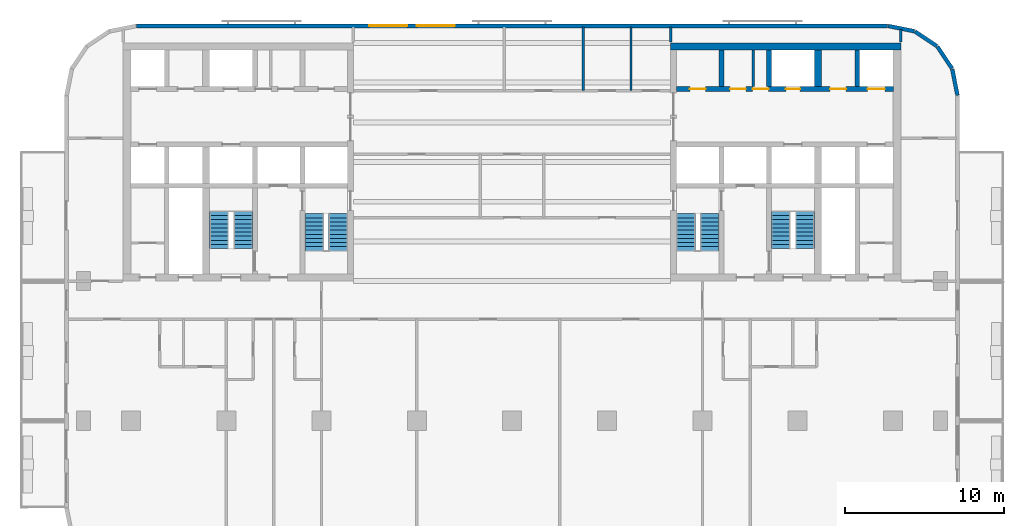
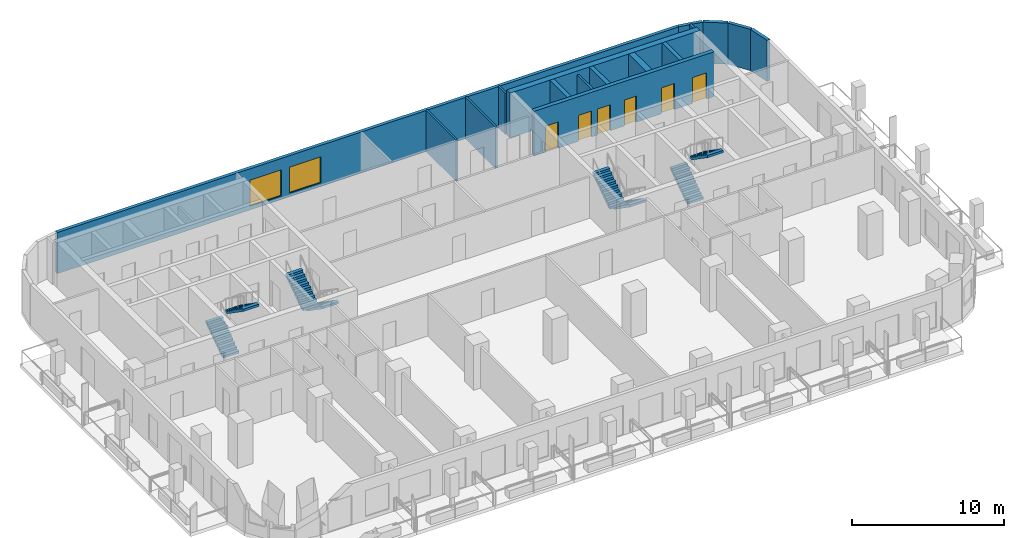
# One storey, part 7 of 11: 16 walls, 8 stair flights, 6 doors, 2 windows, 8 openings, 4 elements without a shape of their own.
"""IFC4 building model written with IfcOpenShell, lengths in metres."""

from ifc_helpers import new_model, si_unit, direction, frame, frame_2d, origin, place, context, subcontext, project, spatial, polyline, rectangle, outline, extrude, material, layer, layer_set, type_object, element, fill, aggregate, save


model = new_model("IFC4")

# Units and contexts
model_context = context("Model", 3, precision=1e-05, world=origin(), true_north=direction((0.0, 1.0)))
body_context = subcontext(model_context, "Body", "Model", "MODEL_VIEW")
ifc_project = project(units=[si_unit("LENGTHUNIT", "METRE"), si_unit("AREAUNIT", "SQUARE_METRE"), si_unit("VOLUMEUNIT", "CUBIC_METRE"), si_unit("PLANEANGLEUNIT", "RADIAN"), si_unit("MASSUNIT", "GRAM", prefix="KILO")], contexts=[model_context])

# Site, building, storey
site_placement = place(None, origin())
site = spatial("IfcSite", under=ifc_project, at=site_placement, CompositionType="ELEMENT")
building_placement = place(site_placement, origin())
building = spatial("IfcBuilding", under=site, at=building_placement, Name="Torana Hotel and Residences", CompositionType="ELEMENT")
storey_placement = place(building_placement, frame((0.0, 0.0, 138.0)))
storey = spatial("IfcBuildingStorey", under=building, at=storey_placement, Name="L35", CompositionType="ELEMENT", Elevation=138.0)

# Wall, openings, doors
ifc_material_1 = material(Name="Concrete C70/85", Category="concrete")
ifc_layer_1 = layer(ifc_material_1, 0.300048828125)
ifc_layer_set_1 = layer_set([ifc_layer_1], Name="CORE WALL 300 C70/85")
wall_type_1 = type_object("IfcWallType", Name="CORE WALL 300 C70/85", PredefinedType="SHEAR", material=ifc_layer_set_1)
wall_1_placement = place(storey_placement, frame((10.35009765625, -2.89990234375, 0.0), z_axis=(0.0, 0.0, 1.0), x_axis=(1.0, 0.0, 0.0)))
wall_1 = element("IfcWall", 1, at=wall_1_placement, inside=storey, type_object=wall_type_1, Name="Core wall E row-N", PredefinedType="SHEAR", context=body_context, shape_type="SweptSolid", body=[
    extrude(rectangle(XDim=13.699951171875, YDim=0.300048828125, at=frame_2d((6.85009765625, 0.0))), origin(), (0.0, 0.0, 1.0), 3.60009765625),
])
opening_1_placement = place(wall_1_placement, frame((12.050048828125, 0.0, 0.0)))
opening_1 = element("IfcOpeningElement", 2, at=opening_1_placement, cuts=wall_1, Name="Opening LD", PredefinedType="OPENING", context=body_context, shape_type="SweptSolid", body=[
    extrude(rectangle(XDim=1.10009765625, YDim=2.10009765625, at=frame_2d((0.550048828125, 1.050048828125))), frame((0.0, 0.159912109375, 0.0), z_axis=(0.0, -1.0, 0.0), x_axis=(1.0, 0.0, 0.0)), (0.0, 0.0, 1.0), 0.320068359375),
])
opening_2_placement = place(wall_1_placement, frame((6.89990234375, 0.0, 0.0)))
opening_2 = element("IfcOpeningElement", 3, at=opening_2_placement, cuts=wall_1, Name="Opening L35-22", PredefinedType="OPENING", context=body_context, shape_type="SweptSolid", body=[
    extrude(rectangle(XDim=0.89990234375, YDim=2.10009765625, at=frame_2d((0.449951171875, 1.050048828125))), frame((0.0, 0.159912109375, 0.0), z_axis=(0.0, -1.0, 0.0), x_axis=(1.0, 0.0, 0.0)), (0.0, 0.0, 1.0), 0.320068359375),
])
opening_3_placement = place(wall_1_placement, frame((0.85009765625, 0.0, 0.0)))
opening_3 = element("IfcOpeningElement", 4, at=opening_3_placement, cuts=wall_1, Name="Opening L35-23", PredefinedType="OPENING", context=body_context, shape_type="SweptSolid", body=[
    extrude(rectangle(XDim=1.0, YDim=2.10009765625, at=frame_2d((0.5, 1.050048828125))), frame((0.0, 0.159912109375, 0.0), z_axis=(0.0, -1.0, 0.0), x_axis=(1.0, 0.0, 0.0)), (0.0, 0.0, 1.0), 0.320068359375),
])
opening_4_placement = place(wall_1_placement, frame((3.387451171875, 0.0, 0.0)))
opening_4 = element("IfcOpeningElement", 5, at=opening_4_placement, cuts=wall_1, Name="Opening L35-24", PredefinedType="OPENING", context=body_context, shape_type="SweptSolid", body=[
    extrude(rectangle(XDim=1.0, YDim=2.10009765625, at=frame_2d((0.5, 1.050048828125))), frame((0.0, 0.159912109375, 0.0), z_axis=(0.0, -1.0, 0.0), x_axis=(1.0, 0.0, 0.0)), (0.0, 0.0, 1.0), 0.320068359375),
])
opening_5_placement = place(wall_1_placement, frame((4.8125, 0.0, 0.0)))
opening_5 = element("IfcOpeningElement", 6, at=opening_5_placement, cuts=wall_1, Name="Opening L35-25", PredefinedType="OPENING", context=body_context, shape_type="SweptSolid", body=[
    extrude(rectangle(XDim=1.0, YDim=2.10009765625, at=frame_2d((0.5, 1.050048828125))), frame((0.0, 0.159912109375, 0.0), z_axis=(0.0, -1.0, 0.0), x_axis=(1.0, 0.0, 0.0)), (0.0, 0.0, 1.0), 0.320068359375),
])
opening_6_placement = place(wall_1_placement, frame((9.699951171875, 0.0, 0.0)))
opening_6 = element("IfcOpeningElement", 7, at=opening_6_placement, cuts=wall_1, Name="Opening L35-26", PredefinedType="OPENING", context=body_context, shape_type="SweptSolid", body=[
    extrude(rectangle(XDim=1.0, YDim=2.10009765625, at=frame_2d((0.5, 1.050048828125))), frame((0.0, 0.159912109375, 0.0), z_axis=(0.0, -1.0, 0.0), x_axis=(1.0, 0.0, 0.0)), (0.0, 0.0, 1.0), 0.320068359375),
])
ifc_material_2 = material(Name="Steel S235", Category="steel")
door_type_1 = type_object("IfcDoorType", Name="CORE ROOM FIRE DOOR D14 1000x2100", OperationType="SINGLE_SWING_LEFT", PredefinedType="DOOR", material=ifc_material_2)
door_1_placement = place(opening_3_placement, origin())
door_1 = element("IfcDoor", 8, at=door_1_placement, inside=storey, type_object=door_type_1, Name="N0 door L35", OperationType="SINGLE_SWING_RIGHT", OverallHeight=2.10009765625, OverallWidth=1.0, PredefinedType="DOOR", context=body_context, shape_type="SweptSolid", body=[
    extrude(rectangle(XDim=1.0, YDim=2.10009765625, at=frame_2d((0.5, 1.050048828125))), frame((0.0, 0.02490234375, 0.0), z_axis=(0.0, -1.0, 0.0), x_axis=(1.0, 0.0, 0.0)), (0.0, 0.0, 1.0), 0.050048828125),
])
fill(opening_3, door_1)
door_2_placement = place(opening_4_placement, origin())
door_2 = element("IfcDoor", 9, at=door_2_placement, inside=storey, type_object=door_type_1, Name="N1A door L35", OperationType="SINGLE_SWING_RIGHT", OverallHeight=2.10009765625, OverallWidth=1.0, PredefinedType="DOOR", context=body_context, shape_type="SweptSolid", body=[
    extrude(rectangle(XDim=1.0, YDim=2.10009765625, at=frame_2d((0.5, 1.050048828125))), frame((0.0, 0.02490234375, 0.0), z_axis=(0.0, -1.0, 0.0), x_axis=(1.0, 0.0, 0.0)), (0.0, 0.0, 1.0), 0.050048828125),
])
fill(opening_4, door_2)
door_3_placement = place(opening_5_placement, origin())
door_3 = element("IfcDoor", 10, at=door_3_placement, inside=storey, type_object=door_type_1, Name="N1B door L35", OperationType="SINGLE_SWING_LEFT", OverallHeight=2.10009765625, OverallWidth=1.0, PredefinedType="DOOR", context=body_context, shape_type="SweptSolid", body=[
    extrude(rectangle(XDim=1.0, YDim=2.10009765625, at=frame_2d((0.5, 1.050048828125))), frame((0.0, 0.02490234375, 0.0), z_axis=(0.0, -1.0, 0.0), x_axis=(1.0, 0.0, 0.0)), (0.0, 0.0, 1.0), 0.050048828125),
])
fill(opening_5, door_3)
door_4_placement = place(opening_6_placement, origin())
door_4 = element("IfcDoor", 11, at=door_4_placement, inside=storey, type_object=door_type_1, Name="Freed-S2 door L35", OperationType="SINGLE_SWING_RIGHT", OverallHeight=2.10009765625, OverallWidth=1.0, PredefinedType="DOOR", context=body_context, shape_type="SweptSolid", body=[
    extrude(rectangle(XDim=1.0, YDim=2.10009765625, at=frame_2d((0.5, 1.050048828125))), frame((0.0, 0.02490234375, 0.0), z_axis=(0.0, -1.0, 0.0), x_axis=(1.0, 0.0, 0.0)), (0.0, 0.0, 1.0), 0.050048828125),
])
fill(opening_6, door_4)
ifc_material_3 = material(Name="Stainless steel 316", Category="steel")
door_type_2 = type_object("IfcDoorType", Name="LIFT LANDING DOOR LD 1100x2100", OperationType="DOUBLE_DOOR_SLIDING", PredefinedType="USERDEFINED", material=ifc_material_3)
door_5_placement = place(opening_1_placement, origin())
door_5 = element("IfcDoor", 12, at=door_5_placement, inside=storey, type_object=door_type_2, Name="Lift landing door M3 L35", ObjectType="LIFT LANDING DOOR", OperationType="DOUBLE_DOOR_SLIDING", OverallHeight=2.10009765625, OverallWidth=1.10009765625, PredefinedType="USERDEFINED", context=body_context, shape_type="SweptSolid", body=[
    extrude(rectangle(XDim=1.10009765625, YDim=2.10009765625, at=frame_2d((0.550048828125, 1.050048828125))), frame((0.0, 0.02490234375, 0.0), z_axis=(0.0, -1.0, 0.0), x_axis=(1.0, 0.0, 0.0)), (0.0, 0.0, 1.0), 0.050048828125),
])
fill(opening_1, door_5)
ifc_material_4 = material(Name="Steel S235", Category="steel")
door_type_3 = type_object("IfcDoorType", Name="RISER ACCESS DOOR D5 900x2100", OperationType="SINGLE_SWING_LEFT", PredefinedType="DOOR", material=ifc_material_4)
door_6_placement = place(opening_2_placement, origin())
door_6 = element("IfcDoor", 13, at=door_6_placement, inside=storey, type_object=door_type_3, Name="N2 door L35", OperationType="SINGLE_SWING_RIGHT", OverallHeight=2.10009765625, OverallWidth=0.89990234375, PredefinedType="DOOR", context=body_context, shape_type="SweptSolid", body=[
    extrude(rectangle(XDim=0.89990234375, YDim=2.10009765625, at=frame_2d((0.449951171875, 1.050048828125))), frame((0.0, 0.02490234375, 0.0), z_axis=(0.0, -1.0, 0.0), x_axis=(1.0, 0.0, 0.0)), (0.0, 0.0, 1.0), 0.050048828125),
])
fill(opening_2, door_6)

# Walls
for number, where, z_axis, x_axis, name in (
    (14, (13.199951171875, -2.75, 0.0), (0.0, 0.0, 1.0), (0.0, 1.0, 0.0), "Core wall E x3.05-N"),
    (15, (16.199951171875, -2.75, 0.0), (0.0, 0.0, 1.0), (0.0, 1.0, 0.0), "Core wall E x6.05-N"),
    (16, (21.75, -2.75, 0.0), (0.0, 0.0, 1.0), (0.0, 1.0, 0.0), "Core wall E mm-N"),
):
    element("IfcWall", number, at=place(storey_placement, frame(where, z_axis=z_axis, x_axis=x_axis)), inside=storey, type_object=wall_type_1, Name=name, PredefinedType="SHEAR", context=body_context, shape_type="SweptSolid", body=[
        extrude(rectangle(XDim=2.300048828125, YDim=0.300048828125, at=frame_2d((1.14990234375, 0.0))), origin(), (0.0, 0.0, 1.0), 3.60009765625),
    ])
ifc_material_5 = material(Name="Concrete C70/85", Category="concrete")
ifc_layer_2 = layer(ifc_material_5, 0.449951171875)
ifc_layer_set_2 = layer_set([ifc_layer_2], Name="CORE WALL 450 C70/85")
wall_type_2 = type_object("IfcWallType", Name="CORE WALL 450 C70/85", PredefinedType="SHEAR", material=ifc_layer_set_2)
wall_2_placement = place(storey_placement, frame((10.0, -0.22509765625, 0.0), z_axis=(0.0, 0.0, 1.0), x_axis=(1.0, 0.0, 0.0)))
element("IfcWall", 17, at=wall_2_placement, inside=storey, type_object=wall_type_2, Name="Core wall E rear", PredefinedType="SHEAR", context=body_context, shape_type="SweptSolid", body=[
    extrude(rectangle(XDim=14.5, YDim=0.449951171875, at=frame_2d((7.25, 0.0))), origin(), (0.0, 0.0, 1.0), 3.60009765625),
])
wall_3_placement = place(storey_placement, frame((19.27490234375, -2.75, 0.0), z_axis=(0.0, 0.0, 1.0), x_axis=(0.0, 1.0, 0.0)))
element("IfcWall", 18, at=wall_3_placement, inside=storey, type_object=wall_type_2, Name="Core wall E hm-N", PredefinedType="SHEAR", context=body_context, shape_type="SweptSolid", body=[
    extrude(rectangle(XDim=2.300048828125, YDim=0.449951171875, at=frame_2d((1.14990234375, 0.0))), origin(), (0.0, 0.0, 1.0), 3.60009765625),
])
ifc_material_6 = material(Name="Black aluminium composite panel", Category="aluminium")
ifc_layer_3 = layer(ifc_material_6, 0.00390625, Name="Cladding", Category="cladding")
ifc_material_7 = material(Name="Ventilated air cavity")
ifc_layer_4 = layer(ifc_material_7, 0.0400390625, Name="Ventilated cavity", Category="cavity")
ifc_material_8 = material(Name="Mineral wool insulation")
ifc_layer_5 = layer(ifc_material_8, 0.090087890625, Name="Insulation", Category="insulation")
ifc_material_9 = material(Name="Steel S280GD", Category="steel")
ifc_layer_6 = layer(ifc_material_9, 0.092041015625, Name="Steel stud frame", Category="structure")
ifc_material_10 = material(Name="Fire rated plasterboard")
ifc_layer_7 = layer(ifc_material_10, 0.011962890625, Name="Inner board", Category="finish")
ifc_layer_8 = layer(ifc_material_10, 0.011962890625, Name="Second board", Category="finish")
ifc_layer_set_3 = layer_set([ifc_layer_3, ifc_layer_4, ifc_layer_5, ifc_layer_6, ifc_layer_7, ifc_layer_8], Name="EW1 EXTERNAL WALL BLACK METAL CLAD 250")
wall_type_3 = type_object("IfcWallType", Name="EW1 EXTERNAL WALL BLACK METAL CLAD 250", PredefinedType="SOLIDWALL", material=ifc_layer_set_3)
wall_4_placement = place(storey_placement, frame((28.072509765625, -3.30029296875, 0.0), z_axis=(0.0, 0.0, 1.0), x_axis=(-0.194999110559, 0.980803419081, 0.0)))
element("IfcWall", 19, at=wall_4_placement, inside=storey, type_object=wall_type_3, Name="External wall L35 e0.0", PredefinedType="SOLIDWALL", context=body_context, shape_type="SweptSolid", body=[
    extrude(rectangle(XDim=1.681396484375, YDim=0.25, at=frame_2d((0.8408203125, 0.0))), origin(), (0.0, 0.0, 1.0), 3.320068359375),
])
for number, where, z_axis, x_axis, name in (
    (20, (27.725830078125, -1.60595703125, 0.0), (0.0, 0.0, 1.0), (-0.55555029066, 0.831482937015, 0.0), "External wall L35 e0.1"),
    (21, (26.771240234375, -0.1943359375, 0.0), (0.0, 0.0, 1.0), (-0.831482937015, 0.55555029066, 0.0), "External wall L35 e0.2"),
):
    element("IfcWall", number, at=place(storey_placement, frame(where, z_axis=z_axis, x_axis=x_axis)), inside=storey, type_object=wall_type_3, Name=name, PredefinedType="SOLIDWALL", context=body_context, shape_type="SweptSolid", body=[
        extrude(rectangle(XDim=1.65625, YDim=0.25, at=frame_2d((0.828125, 0.0))), origin(), (0.0, 0.0, 1.0), 3.320068359375),
    ])
wall_5_placement = place(storey_placement, frame((25.348876953125, 0.74462890625, 0.0), z_axis=(0.0, 0.0, 1.0), x_axis=(-0.980803419081, 0.194999110559, 0.0)))
element("IfcWall", 22, at=wall_5_placement, inside=storey, type_object=wall_type_3, Name="External wall L35 e0.3", PredefinedType="SOLIDWALL", context=body_context, shape_type="SweptSolid", body=[
    extrude(rectangle(XDim=1.681396484375, YDim=0.25, at=frame_2d((0.8408203125, 0.0))), origin(), (0.0, 0.0, 1.0), 3.320068359375),
])

# Wall, openings, windows
ifc_material_11 = material(Name="Concrete C40/50 precast", Category="concrete")
ifc_layer_9 = layer(ifc_material_11, 0.10009765625, Name="Perforated block", Category="cladding")
ifc_material_12 = material(Name="Air cavity")
ifc_layer_10 = layer(ifc_material_12, 0.030029296875, Name="Cavity", Category="cavity")
ifc_material_13 = material(Name="Concrete C40/50", Category="concrete")
ifc_layer_11 = layer(ifc_material_13, 0.10009765625, Name="Wall", Category="structure")
ifc_material_14 = material(Name="Plaster and paint")
ifc_layer_12 = layer(ifc_material_14, 0.02001953125, Name="Inner finish", Category="finish")
ifc_layer_set_4 = layer_set([ifc_layer_9, ifc_layer_10, ifc_layer_11, ifc_layer_12], Name="EW2 PERFORATED BLOCK SCREEN WALL 250")
wall_type_4 = type_object("IfcWallType", Name="EW2 PERFORATED BLOCK SCREEN WALL 250", PredefinedType="SOLIDWALL", material=ifc_layer_set_4)
wall_6_placement = place(storey_placement, frame((23.67529296875, 1.074951171875, 0.0), z_axis=(0.0, 0.0, 1.0), x_axis=(-1.0, 0.0, 0.0)))
wall_6 = element("IfcWall", 23, at=wall_6_placement, inside=storey, type_object=wall_type_4, Name="External wall L35 e0.4", PredefinedType="SOLIDWALL", context=body_context, shape_type="SweptSolid", body=[
    extrude(rectangle(XDim=47.3505859375, YDim=0.25, at=frame_2d((23.67529296875, 0.0))), origin(), (0.0, 0.0, 1.0), 3.320068359375),
])
opening_7_placement = place(wall_6_placement, frame((27.275390625, 0.0, 0.300048828125)))
opening_7 = element("IfcOpeningElement", 24, at=opening_7_placement, cuts=wall_6, Name="Opening W1", PredefinedType="OPENING", context=body_context, shape_type="SweptSolid", body=[
    extrude(rectangle(XDim=2.39990234375, YDim=2.10009765625, at=frame_2d((1.199951171875, 1.050048828125))), frame((0.0, 0.135009765625, 0.0), z_axis=(0.0, -1.0, 0.0), x_axis=(1.0, 0.0, 0.0)), (0.0, 0.0, 1.0), 0.27001953125),
])
opening_8_placement = place(wall_6_placement, frame((30.275390625, 0.0, 0.300048828125)))
opening_8 = element("IfcOpeningElement", 25, at=opening_8_placement, cuts=wall_6, Name="Opening W1", PredefinedType="OPENING", context=body_context, shape_type="SweptSolid", body=[
    extrude(rectangle(XDim=2.39990234375, YDim=2.10009765625, at=frame_2d((1.199951171875, 1.050048828125))), frame((0.0, 0.135009765625, 0.0), z_axis=(0.0, -1.0, 0.0), x_axis=(1.0, 0.0, 0.0)), (0.0, 0.0, 1.0), 0.27001953125),
])
ifc_material_15 = material(Name="Dark glass in black aluminium frame", Category="aluminium")
window_type = type_object("IfcWindowType", Name="W1 HOTEL ROOM WINDOW 2400x2100", PartitioningType="SINGLE_PANEL", PredefinedType="WINDOW", material=ifc_material_15)
window_1_placement = place(opening_7_placement, origin())
window_1 = element("IfcWindow", 26, at=window_1_placement, inside=storey, type_object=window_type, Name="Window L35", OverallHeight=2.10009765625, OverallWidth=2.39990234375, PartitioningType="SINGLE_PANEL", PredefinedType="WINDOW", context=body_context, shape_type="SweptSolid", body=[
    extrude(rectangle(XDim=2.39990234375, YDim=2.10009765625, at=frame_2d((1.199951171875, 1.050048828125))), frame((0.0, 0.030029296875, 0.0), z_axis=(0.0, -1.0, 0.0), x_axis=(1.0, 0.0, 0.0)), (0.0, 0.0, 1.0), 0.06005859375),
])
fill(opening_7, window_1)
window_2_placement = place(opening_8_placement, origin())
window_2 = element("IfcWindow", 27, at=window_2_placement, inside=storey, type_object=window_type, Name="Window L35", OverallHeight=2.10009765625, OverallWidth=2.39990234375, PartitioningType="SINGLE_PANEL", PredefinedType="WINDOW", context=body_context, shape_type="SweptSolid", body=[
    extrude(rectangle(XDim=2.39990234375, YDim=2.10009765625, at=frame_2d((1.199951171875, 1.050048828125))), frame((0.0, 0.030029296875, 0.0), z_axis=(0.0, -1.0, 0.0), x_axis=(1.0, 0.0, 0.0)), (0.0, 0.0, 1.0), 0.06005859375),
])
fill(opening_8, window_2)

# Walls
ifc_material_16 = material(Name="Gypsum plaster")
ifc_layer_13 = layer(ifc_material_16, 0.014892578125, Name="Plaster", Category="finish")
ifc_material_17 = material(Name="Concrete blockwork", Category="masonry")
ifc_layer_14 = layer(ifc_material_17, 0.1201171875, Name="Blockwork", Category="structure")
ifc_layer_15 = layer(ifc_material_16, 0.014892578125, Name="Plaster", Category="finish")
ifc_layer_set_5 = layer_set([ifc_layer_13, ifc_layer_14, ifc_layer_15], Name="FIRE PARTITION 150 BLOCKWORK")
wall_type_5 = type_object("IfcWallType", Name="FIRE PARTITION 150 BLOCKWORK", PredefinedType="PARTITIONING", material=ifc_layer_set_5)
wall_7_placement = place(storey_placement, frame((15.199951171875, -2.75, 0.0), z_axis=(0.0, 0.0, 1.0), x_axis=(0.0, 1.0, 0.0)))
element("IfcWall", 28, at=wall_7_placement, inside=storey, type_object=wall_type_5, Name="Core partition L35", PredefinedType="PARTITIONING", context=body_context, shape_type="SweptSolid", body=[
    extrude(rectangle(XDim=2.300048828125, YDim=0.14990234375, at=frame_2d((1.14990234375, 0.0))), origin(), (0.0, 0.0, 1.0), 3.300048828125),
])
ifc_material_18 = material(Name="Gypsum plasterboard")
ifc_layer_16 = layer(ifc_material_18, 0.012451171875, Name="Plasterboard", Category="finish")
ifc_layer_17 = layer(ifc_material_18, 0.012451171875, Name="Plasterboard", Category="finish")
ifc_layer_18 = layer(ifc_material_9, 0.10009765625, Name="Steel studs with mineral wool", Category="insulation")
ifc_layer_19 = layer(ifc_material_18, 0.012451171875, Name="Plasterboard", Category="finish")
ifc_layer_20 = layer(ifc_material_18, 0.012451171875, Name="Plasterboard", Category="finish")
ifc_layer_set_6 = layer_set([ifc_layer_16, ifc_layer_17, ifc_layer_18, ifc_layer_19, ifc_layer_20], Name="PARTITION 150 PLASTERBOARD")
wall_type_6 = type_object("IfcWallType", Name="PARTITION 150 PLASTERBOARD", PredefinedType="PARTITIONING", material=ifc_layer_set_6)
wall_8_placement = place(storey_placement, frame((24.5, 0.050048828125, 0.0), z_axis=(0.0, 0.0, 1.0), x_axis=(0.0, 1.0, 0.0)))
element("IfcWall", 29, at=wall_8_placement, inside=storey, type_object=wall_type_6, Name="Partition L35", PredefinedType="PARTITIONING", context=body_context, shape_type="SweptSolid", body=[
    extrude(rectangle(XDim=0.807373046875, YDim=0.14990234375, at=frame_2d((0.40380859375, 0.0))), origin(), (0.0, 0.0, 1.0), 3.320068359375),
])
ifc_material_19 = material(Name="Ceramic tile on adhesive")
ifc_layer_21 = layer(ifc_material_19, 0.010009765625, Name="Wall tile", Category="finish")
ifc_material_20 = material(Name="Cement render")
ifc_layer_22 = layer(ifc_material_20, 0.010009765625, Name="Render", Category="finish")
ifc_layer_23 = layer(ifc_material_17, 0.110107421875, Name="Blockwork", Category="structure")
ifc_layer_24 = layer(ifc_material_20, 0.010009765625, Name="Render", Category="finish")
ifc_layer_25 = layer(ifc_material_19, 0.010009765625, Name="Wall tile", Category="finish")
ifc_layer_set_7 = layer_set([ifc_layer_21, ifc_layer_22, ifc_layer_23, ifc_layer_24, ifc_layer_25], Name="WC PARTITION 150")
wall_type_7 = type_object("IfcWallType", Name="WC PARTITION 150", PredefinedType="PLUMBINGWALL", material=ifc_layer_set_7)
wall_9_placement = place(storey_placement, frame((10.0, 0.050048828125, 0.0), z_axis=(0.0, 0.0, 1.0), x_axis=(0.0, 1.0, 0.0)))
element("IfcWall", 30, at=wall_9_placement, inside=storey, type_object=wall_type_7, Name="Partition L35", PredefinedType="PLUMBINGWALL", context=body_context, shape_type="SweptSolid", body=[
    extrude(rectangle(XDim=0.969970703125, YDim=0.14990234375, at=frame_2d((0.48486328125, 0.0))), origin(), (0.0, 0.0, 1.0), 3.320068359375),
])
for number, where, z_axis, x_axis, name in (
    (31, (7.5, -3.0, 0.0), (0.0, 0.0, 1.0), (0.0, 1.0, 0.0), "Partition L35"),
    (32, (4.5, -3.0, 0.0), (0.0, 0.0, 1.0), (0.0, 1.0, 0.0), "Partition L35"),
):
    element("IfcWall", number, at=place(storey_placement, frame(where, z_axis=z_axis, x_axis=x_axis)), inside=storey, type_object=wall_type_7, Name=name, PredefinedType="PLUMBINGWALL", context=body_context, shape_type="SweptSolid", body=[
        extrude(rectangle(XDim=4.02001953125, YDim=0.14990234375, at=frame_2d((2.010009765625, 0.0))), origin(), (0.0, 0.0, 1.0), 3.320068359375),
    ])

# Stair, stair flights
ifc_material_21 = material(Name="Concrete C40/50 precast", Category="concrete")
stair_type_1 = type_object("IfcStairType", Name="STAIR ST1 HALF TURN 1200", PredefinedType="HALF_TURN_STAIR", material=ifc_material_21)
stair_1_placement = place(storey_placement, origin())
stair_1 = element("IfcStair", 33, at=stair_1_placement, inside=storey, type_object=stair_type_1, Name="Stair ST1 L35", PredefinedType="HALF_TURN_STAIR")
ifc_material_22 = material(Name="Concrete C40/50 precast", Category="concrete")
stair_flight_type = type_object("IfcStairFlightType", Name="STAIR FLIGHT 1200 PRECAST", PredefinedType="STRAIGHT", material=ifc_material_22)
stair_flight_1_placement = place(storey_placement, frame((-10.949951171875, -10.75, 0.0), z_axis=(0.0, 0.0, 1.0), x_axis=(0.0, -1.0, 0.0)))
stair_flight_1 = element("IfcStairFlight", 34, at=stair_flight_1_placement, type_object=stair_flight_type, Name="ST1 flight 1", NumberOfRisers=10, NumberOfTreads=9, PredefinedType="STRAIGHT", RiserHeight=0.18, TreadLength=0.26, context=body_context, shape_type="SweptSolid", body=[
    extrude(outline(polyline([(0.0, 0.0), (0.0, 0.179931640625), (0.260009765625, 0.179931640625), (0.260009765625, 0.360107421875), (0.52001953125, 0.360107421875), (0.52001953125, 0.5400390625), (0.780029296875, 0.5400390625), (0.780029296875, 0.719970703125), (1.0400390625, 0.719970703125), (1.0400390625, 0.89990234375), (1.300048828125, 0.89990234375), (1.300048828125, 1.080078125), (1.56005859375, 1.080078125), (1.56005859375, 1.260009765625), (1.820068359375, 1.260009765625), (1.820068359375, 1.43994140625), (2.080078125, 1.43994140625), (2.080078125, 1.6201171875), (2.340087890625, 1.6201171875), (2.340087890625, 1.800048828125), (2.340087890625, 1.437744140625), (0.263427734375, 0.0), (0.0, 0.0)])), frame((0.0, 0.60009765625, 0.0), z_axis=(0.0, -1.0, 0.0), x_axis=(1.0, 0.0, 0.0)), (0.0, 0.0, 1.0), 1.199951171875),
])
stair_flight_2_placement = place(storey_placement, frame((-12.449951171875, -13.090087890625, 1.800048828125), z_axis=(0.0, 0.0, 1.0), x_axis=(0.0, 1.0, 0.0)))
stair_flight_2 = element("IfcStairFlight", 35, at=stair_flight_2_placement, type_object=stair_flight_type, Name="ST1 flight 2", NumberOfRisers=10, NumberOfTreads=9, PredefinedType="STRAIGHT", RiserHeight=0.18, TreadLength=0.26, context=body_context, shape_type="SweptSolid", body=[
    extrude(outline(polyline([(0.0, 0.0), (0.0, 0.179931640625), (0.260009765625, 0.179931640625), (0.260009765625, 0.360107421875), (0.52001953125, 0.360107421875), (0.52001953125, 0.5400390625), (0.780029296875, 0.5400390625), (0.780029296875, 0.719970703125), (1.0400390625, 0.719970703125), (1.0400390625, 0.89990234375), (1.300048828125, 0.89990234375), (1.300048828125, 1.080078125), (1.56005859375, 1.080078125), (1.56005859375, 1.260009765625), (1.820068359375, 1.260009765625), (1.820068359375, 1.43994140625), (2.080078125, 1.43994140625), (2.080078125, 1.6201171875), (2.340087890625, 1.6201171875), (2.340087890625, 1.800048828125), (2.340087890625, 1.437744140625), (0.263427734375, 0.0), (0.0, 0.0)])), frame((0.0, 0.60009765625, 0.0), z_axis=(0.0, -1.0, 0.0), x_axis=(1.0, 0.0, 0.0)), (0.0, 0.0, 1.0), 1.199951171875),
])
aggregate(stair_1, [stair_flight_1, stair_flight_2])

ifc_material_23 = material(Name="Concrete C40/50 precast", Category="concrete")
stair_type_2 = type_object("IfcStairType", Name="STAIR ST2 HALF TURN 1200", PredefinedType="HALF_TURN_STAIR", material=ifc_material_23)
stair_2_placement = place(storey_placement, origin())
stair_2 = element("IfcStair", 36, at=stair_2_placement, inside=storey, type_object=stair_type_2, Name="Stair ST2 L35", PredefinedType="HALF_TURN_STAIR")
stair_flight_3_placement = place(storey_placement, frame((-18.449951171875, -12.949951171875, 0.0), z_axis=(0.0, 0.0, 1.0), x_axis=(0.0, 1.0, 0.0)))
stair_flight_3 = element("IfcStairFlight", 37, at=stair_flight_3_placement, type_object=stair_flight_type, Name="ST2 flight 1", NumberOfRisers=10, NumberOfTreads=9, PredefinedType="STRAIGHT", RiserHeight=0.18, TreadLength=0.26, context=body_context, shape_type="SweptSolid", body=[
    extrude(outline(polyline([(0.0, 0.0), (0.0, 0.179931640625), (0.260009765625, 0.179931640625), (0.260009765625, 0.360107421875), (0.52001953125, 0.360107421875), (0.52001953125, 0.5400390625), (0.780029296875, 0.5400390625), (0.780029296875, 0.719970703125), (1.0400390625, 0.719970703125), (1.0400390625, 0.89990234375), (1.300048828125, 0.89990234375), (1.300048828125, 1.080078125), (1.56005859375, 1.080078125), (1.56005859375, 1.260009765625), (1.820068359375, 1.260009765625), (1.820068359375, 1.43994140625), (2.080078125, 1.43994140625), (2.080078125, 1.6201171875), (2.340087890625, 1.6201171875), (2.340087890625, 1.800048828125), (2.340087890625, 1.437744140625), (0.263427734375, 0.0), (0.0, 0.0)])), frame((0.0, 0.60009765625, 0.0), z_axis=(0.0, -1.0, 0.0), x_axis=(1.0, 0.0, 0.0)), (0.0, 0.0, 1.0), 1.199951171875),
])
stair_flight_4_placement = place(storey_placement, frame((-16.949951171875, -10.610107421875, 1.800048828125), z_axis=(0.0, 0.0, 1.0), x_axis=(0.0, -1.0, 0.0)))
stair_flight_4 = element("IfcStairFlight", 38, at=stair_flight_4_placement, type_object=stair_flight_type, Name="ST2 flight 2", NumberOfRisers=10, NumberOfTreads=9, PredefinedType="STRAIGHT", RiserHeight=0.18, TreadLength=0.26, context=body_context, shape_type="SweptSolid", body=[
    extrude(outline(polyline([(0.0, 0.0), (0.0, 0.179931640625), (0.260009765625, 0.179931640625), (0.260009765625, 0.360107421875), (0.52001953125, 0.360107421875), (0.52001953125, 0.5400390625), (0.780029296875, 0.5400390625), (0.780029296875, 0.719970703125), (1.0400390625, 0.719970703125), (1.0400390625, 0.89990234375), (1.300048828125, 0.89990234375), (1.300048828125, 1.080078125), (1.56005859375, 1.080078125), (1.56005859375, 1.260009765625), (1.820068359375, 1.260009765625), (1.820068359375, 1.43994140625), (2.080078125, 1.43994140625), (2.080078125, 1.6201171875), (2.340087890625, 1.6201171875), (2.340087890625, 1.800048828125), (2.340087890625, 1.437744140625), (0.263427734375, 0.0), (0.0, 0.0)])), frame((0.0, 0.60009765625, 0.0), z_axis=(0.0, -1.0, 0.0), x_axis=(1.0, 0.0, 0.0)), (0.0, 0.0, 1.0), 1.199951171875),
])
aggregate(stair_2, [stair_flight_3, stair_flight_4])

ifc_material_24 = material(Name="Concrete C40/50 precast", Category="concrete")
stair_type_3 = type_object("IfcStairType", Name="STAIR ST3 HALF TURN 1200", PredefinedType="HALF_TURN_STAIR", material=ifc_material_24)
stair_3_placement = place(storey_placement, origin())
stair_3 = element("IfcStair", 39, at=stair_3_placement, inside=storey, type_object=stair_type_3, Name="Stair ST3 L35", PredefinedType="HALF_TURN_STAIR")
stair_flight_5_placement = place(storey_placement, frame((12.449951171875, -10.75, 0.0), z_axis=(0.0, 0.0, 1.0), x_axis=(0.0, -1.0, 0.0)))
stair_flight_5 = element("IfcStairFlight", 40, at=stair_flight_5_placement, type_object=stair_flight_type, Name="ST3 flight 1", NumberOfRisers=10, NumberOfTreads=9, PredefinedType="STRAIGHT", RiserHeight=0.18, TreadLength=0.26, context=body_context, shape_type="SweptSolid", body=[
    extrude(outline(polyline([(0.0, 0.0), (0.0, 0.179931640625), (0.260009765625, 0.179931640625), (0.260009765625, 0.360107421875), (0.52001953125, 0.360107421875), (0.52001953125, 0.5400390625), (0.780029296875, 0.5400390625), (0.780029296875, 0.719970703125), (1.0400390625, 0.719970703125), (1.0400390625, 0.89990234375), (1.300048828125, 0.89990234375), (1.300048828125, 1.080078125), (1.56005859375, 1.080078125), (1.56005859375, 1.260009765625), (1.820068359375, 1.260009765625), (1.820068359375, 1.43994140625), (2.080078125, 1.43994140625), (2.080078125, 1.6201171875), (2.340087890625, 1.6201171875), (2.340087890625, 1.800048828125), (2.340087890625, 1.437744140625), (0.263427734375, 0.0), (0.0, 0.0)])), frame((0.0, 0.60009765625, 0.0), z_axis=(0.0, -1.0, 0.0), x_axis=(1.0, 0.0, 0.0)), (0.0, 0.0, 1.0), 1.199951171875),
])
stair_flight_6_placement = place(storey_placement, frame((10.949951171875, -13.090087890625, 1.800048828125), z_axis=(0.0, 0.0, 1.0), x_axis=(0.0, 1.0, 0.0)))
stair_flight_6 = element("IfcStairFlight", 41, at=stair_flight_6_placement, type_object=stair_flight_type, Name="ST3 flight 2", NumberOfRisers=10, NumberOfTreads=9, PredefinedType="STRAIGHT", RiserHeight=0.18, TreadLength=0.26, context=body_context, shape_type="SweptSolid", body=[
    extrude(outline(polyline([(0.0, 0.0), (0.0, 0.179931640625), (0.260009765625, 0.179931640625), (0.260009765625, 0.360107421875), (0.52001953125, 0.360107421875), (0.52001953125, 0.5400390625), (0.780029296875, 0.5400390625), (0.780029296875, 0.719970703125), (1.0400390625, 0.719970703125), (1.0400390625, 0.89990234375), (1.300048828125, 0.89990234375), (1.300048828125, 1.080078125), (1.56005859375, 1.080078125), (1.56005859375, 1.260009765625), (1.820068359375, 1.260009765625), (1.820068359375, 1.43994140625), (2.080078125, 1.43994140625), (2.080078125, 1.6201171875), (2.340087890625, 1.6201171875), (2.340087890625, 1.800048828125), (2.340087890625, 1.437744140625), (0.263427734375, 0.0), (0.0, 0.0)])), frame((0.0, 0.60009765625, 0.0), z_axis=(0.0, -1.0, 0.0), x_axis=(1.0, 0.0, 0.0)), (0.0, 0.0, 1.0), 1.199951171875),
])
aggregate(stair_3, [stair_flight_5, stair_flight_6])

ifc_material_25 = material(Name="Concrete C40/50 precast", Category="concrete")
stair_type_4 = type_object("IfcStairType", Name="STAIR ST4 HALF TURN 1200", PredefinedType="HALF_TURN_STAIR", material=ifc_material_25)
stair_4_placement = place(storey_placement, origin())
stair_4 = element("IfcStair", 42, at=stair_4_placement, inside=storey, type_object=stair_type_4, Name="Stair ST4 L35", PredefinedType="HALF_TURN_STAIR")
stair_flight_7_placement = place(storey_placement, frame((16.949951171875, -12.949951171875, 0.0), z_axis=(0.0, 0.0, 1.0), x_axis=(0.0, 1.0, 0.0)))
stair_flight_7 = element("IfcStairFlight", 43, at=stair_flight_7_placement, type_object=stair_flight_type, Name="ST4 flight 1", NumberOfRisers=10, NumberOfTreads=9, PredefinedType="STRAIGHT", RiserHeight=0.18, TreadLength=0.26, context=body_context, shape_type="SweptSolid", body=[
    extrude(outline(polyline([(0.0, 0.0), (0.0, 0.179931640625), (0.260009765625, 0.179931640625), (0.260009765625, 0.360107421875), (0.52001953125, 0.360107421875), (0.52001953125, 0.5400390625), (0.780029296875, 0.5400390625), (0.780029296875, 0.719970703125), (1.0400390625, 0.719970703125), (1.0400390625, 0.89990234375), (1.300048828125, 0.89990234375), (1.300048828125, 1.080078125), (1.56005859375, 1.080078125), (1.56005859375, 1.260009765625), (1.820068359375, 1.260009765625), (1.820068359375, 1.43994140625), (2.080078125, 1.43994140625), (2.080078125, 1.6201171875), (2.340087890625, 1.6201171875), (2.340087890625, 1.800048828125), (2.340087890625, 1.437744140625), (0.263427734375, 0.0), (0.0, 0.0)])), frame((0.0, 0.60009765625, 0.0), z_axis=(0.0, -1.0, 0.0), x_axis=(1.0, 0.0, 0.0)), (0.0, 0.0, 1.0), 1.199951171875),
])
stair_flight_8_placement = place(storey_placement, frame((18.449951171875, -10.610107421875, 1.800048828125), z_axis=(0.0, 0.0, 1.0), x_axis=(0.0, -1.0, 0.0)))
stair_flight_8 = element("IfcStairFlight", 44, at=stair_flight_8_placement, type_object=stair_flight_type, Name="ST4 flight 2", NumberOfRisers=10, NumberOfTreads=9, PredefinedType="STRAIGHT", RiserHeight=0.18, TreadLength=0.26, context=body_context, shape_type="SweptSolid", body=[
    extrude(outline(polyline([(0.0, 0.0), (0.0, 0.179931640625), (0.260009765625, 0.179931640625), (0.260009765625, 0.360107421875), (0.52001953125, 0.360107421875), (0.52001953125, 0.5400390625), (0.780029296875, 0.5400390625), (0.780029296875, 0.719970703125), (1.0400390625, 0.719970703125), (1.0400390625, 0.89990234375), (1.300048828125, 0.89990234375), (1.300048828125, 1.080078125), (1.56005859375, 1.080078125), (1.56005859375, 1.260009765625), (1.820068359375, 1.260009765625), (1.820068359375, 1.43994140625), (2.080078125, 1.43994140625), (2.080078125, 1.6201171875), (2.340087890625, 1.6201171875), (2.340087890625, 1.800048828125), (2.340087890625, 1.437744140625), (0.263427734375, 0.0), (0.0, 0.0)])), frame((0.0, 0.60009765625, 0.0), z_axis=(0.0, -1.0, 0.0), x_axis=(1.0, 0.0, 0.0)), (0.0, 0.0, 1.0), 1.199951171875),
])
aggregate(stair_4, [stair_flight_7, stair_flight_8])

save(model, "model.ifc")
